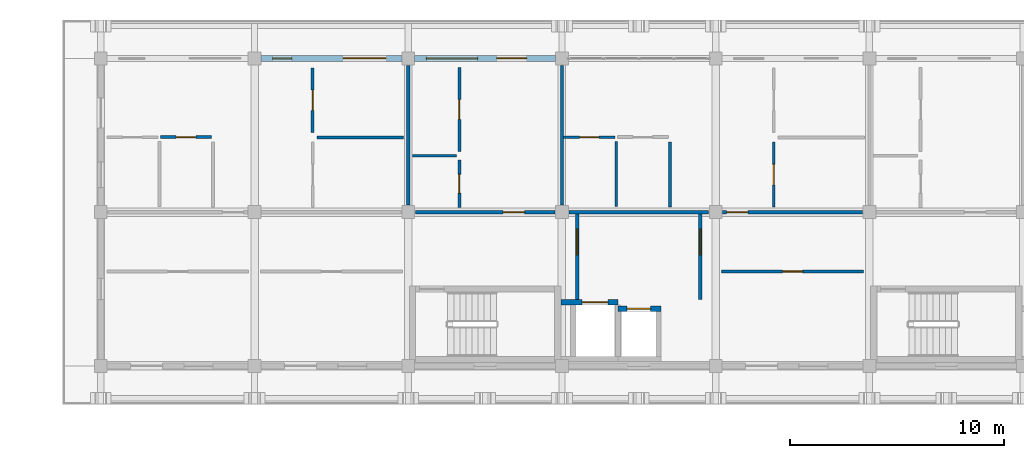
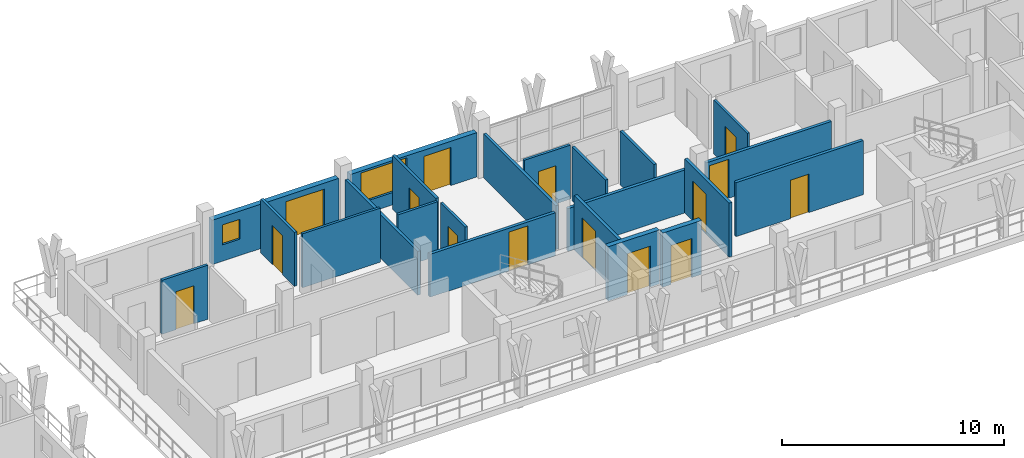
# One storey, part 57 of 76: 22 walls, 15 doors, 2 windows, 17 openings.
"""IFC4 building model written with IfcOpenShell, lengths in metres."""

from ifc_helpers import new_model, si_unit, direction, frame, frame_2d, origin, place, context, subcontext, project, spatial, rectangle, extrude, material, layer, layer_set, type_object, element, fill, save


model = new_model("IFC4")

# Units and contexts
model_context = context("Model", 3, precision=1e-05, world=origin(), true_north=direction((0.0, 1.0)))
body_context = subcontext(model_context, "Body", "Model", "MODEL_VIEW")
ifc_project = project(units=[si_unit("LENGTHUNIT", "METRE"), si_unit("AREAUNIT", "SQUARE_METRE"), si_unit("VOLUMEUNIT", "CUBIC_METRE"), si_unit("PLANEANGLEUNIT", "RADIAN"), si_unit("MASSUNIT", "GRAM", prefix="KILO")], contexts=[model_context])

# Site, building, storey
site_placement = place(None, origin())
site = spatial("IfcSite", under=ifc_project, at=site_placement, CompositionType="ELEMENT")
building_placement = place(site_placement, origin())
building = spatial("IfcBuilding", under=site, at=building_placement, Name="Suanplinth Sawtooth Commons", CompositionType="ELEMENT")
storey_placement = place(building_placement, frame((0.0, 0.0, 12.199951171875)))
storey = spatial("IfcBuildingStorey", under=building, at=storey_placement, Name="L03", CompositionType="ELEMENT", Elevation=12.199951171875)

# Wall, openings, door, window
ifc_material_1 = material(Name="Precast concrete C40/50", Category="concrete")
ifc_layer_1 = layer(ifc_material_1, 0.280029296875, Name="Insulated precast architectural facade wall 280mm")
ifc_layer_set_1 = layer_set([ifc_layer_1], Name="Precast concrete C40/50")
wall_type_1 = type_object("IfcWallType", Name="W-EX01", PredefinedType="ELEMENTEDWALL", material=ifc_layer_set_1)
wall_1_placement = place(storey_placement, frame((129.89990234375, 122.39990234375, 0.0), z_axis=(0.0, 0.0, 1.0), x_axis=(1.0, 0.0, 0.0)))
wall_1 = element("IfcWall", 1, at=wall_1_placement, inside=storey, type_object=wall_type_1, Name="Facade Wall W-L03-B-N-18-16", PredefinedType="ELEMENTEDWALL", context=body_context, shape_type="SweptSolid", body=[
    extrude(rectangle(XDim=6.60009765625, YDim=0.280029296875, at=frame_2d((3.300048828125, 0.0))), origin(), (0.0, 0.0, 1.0), 2.445068359375),
])
opening_1_placement = place(wall_1_placement, frame((3.85009765625, 0.0, 0.0)))
opening_1 = element("IfcOpeningElement", 2, at=opening_1_placement, cuts=wall_1, Name="Opening ED0249", PredefinedType="OPENING", context=body_context, shape_type="SweptSolid", body=[
    extrude(rectangle(XDim=2.0, YDim=2.1201171875, at=frame_2d((1.0, 1.06005859375))), frame((0.0, 0.15478515625, 0.0), z_axis=(0.0, -1.0, 0.0), x_axis=(1.0, 0.0, 0.0)), (0.0, 0.0, 1.0), 0.309814453125),
])
opening_2_placement = place(wall_1_placement, frame((0.550048828125, 0.0, 0.89990234375)))
opening_2 = element("IfcOpeningElement", 3, at=opening_2_placement, cuts=wall_1, Name="Opening W0355", PredefinedType="OPENING", context=body_context, shape_type="SweptSolid", body=[
    extrude(rectangle(XDim=0.89990234375, YDim=1.10009765625, at=frame_2d((0.449951171875, 0.550048828125))), frame((0.0, 0.15478515625, 0.0), z_axis=(0.0, -1.0, 0.0), x_axis=(1.0, 0.0, 0.0)), (0.0, 0.0, 1.0), 0.309814453125),
])
ifc_material_2 = material(Name="Anodized aluminium and low-E glass", Category="aluminium")
door_type_1 = type_object("IfcDoorType", Name="SD-06", OperationType="DOUBLE_DOOR_SLIDING", PredefinedType="DOOR", material=ifc_material_2)
door_1_placement = place(opening_1_placement, frame((2.0, 0.0, 0.0), z_axis=(0.0, 0.0, 1.0), x_axis=(-1.0, 0.0, 0.0)))
door_1 = element("IfcDoor", 4, at=door_1_placement, inside=storey, type_object=door_type_1, Name="Balcony Sliding Door L03-B-18", OperationType="DOUBLE_DOOR_SLIDING", OverallHeight=2.1201171875, OverallWidth=2.0, PredefinedType="DOOR", context=body_context, shape_type="SweptSolid", body=[
    extrude(rectangle(XDim=2.0, YDim=2.1201171875, at=frame_2d((1.0, 1.06005859375))), frame((0.0, 0.02490234375, 0.0), z_axis=(0.0, -1.0, 0.0), x_axis=(1.0, 0.0, 0.0)), (0.0, 0.0, 1.0), 0.050048828125),
])
fill(opening_1, door_1)
ifc_material_3 = material(Name="Thermally broken aluminium and low-E double glazing", Category="aluminium")
window_type_1 = type_object("IfcWindowType", Name="WN-04", PartitioningType="SINGLE_PANEL", PredefinedType="WINDOW", material=ifc_material_3)
window_1_placement = place(opening_2_placement, origin())
window_1 = element("IfcWindow", 5, at=window_1_placement, inside=storey, type_object=window_type_1, Name="Apartment Window L03-B-18", OverallHeight=1.10009765625, OverallWidth=0.89990234375, PartitioningType="SINGLE_PANEL", PredefinedType="WINDOW", context=body_context, shape_type="SweptSolid", body=[
    extrude(rectangle(XDim=0.89990234375, YDim=1.10009765625, at=frame_2d((0.449951171875, 0.550048828125))), frame((0.0, 0.030029296875, 0.0), z_axis=(0.0, -1.0, 0.0), x_axis=(1.0, 0.0, 0.0)), (0.0, 0.0, 1.0), 0.06005859375),
])
fill(opening_2, window_1)

wall_2_placement = place(storey_placement, frame((137.10009765625, 122.39990234375, 0.0), z_axis=(0.0, 0.0, 1.0), x_axis=(1.0, 0.0, 0.0)))
wall_2 = element("IfcWall", 6, at=wall_2_placement, inside=storey, type_object=wall_type_1, Name="Facade Wall W-L03-B-N-19-16", PredefinedType="ELEMENTEDWALL", context=body_context, shape_type="SweptSolid", body=[
    extrude(rectangle(XDim=6.599853515625, YDim=0.280029296875, at=frame_2d((3.2998046875, 0.0))), origin(), (0.0, 0.0, 1.0), 2.445068359375),
])
opening_3_placement = place(wall_2_placement, frame((3.85009765625, 0.0, 0.0)))
opening_3 = element("IfcOpeningElement", 7, at=opening_3_placement, cuts=wall_2, Name="Opening ED0250", PredefinedType="OPENING", context=body_context, shape_type="SweptSolid", body=[
    extrude(rectangle(XDim=1.39990234375, YDim=2.10009765625, at=frame_2d((0.699951171875, 1.050048828125))), frame((0.0, 0.15478515625, 0.0), z_axis=(0.0, -1.0, 0.0), x_axis=(1.0, 0.0, 0.0)), (0.0, 0.0, 1.0), 0.309814453125),
])
opening_4_placement = place(wall_2_placement, frame((0.550048828125, 0.0, 0.68505859375)))
opening_4 = element("IfcOpeningElement", 8, at=opening_4_placement, cuts=wall_2, Name="Opening W0357", PredefinedType="OPENING", context=body_context, shape_type="SweptSolid", body=[
    extrude(rectangle(XDim=2.39990234375, YDim=1.64990234375, at=frame_2d((1.199951171875, 0.824951171875))), frame((0.0, 0.15478515625, 0.0), z_axis=(0.0, -1.0, 0.0), x_axis=(1.0, 0.0, 0.0)), (0.0, 0.0, 1.0), 0.309814453125),
])
door_type_2 = type_object("IfcDoorType", Name="SD-07", OperationType="SLIDING_TO_RIGHT", PredefinedType="DOOR", material=ifc_material_2)
door_2_placement = place(opening_3_placement, frame((1.39990234375, 0.0, 0.0), z_axis=(0.0, 0.0, 1.0), x_axis=(-1.0, 0.0, 0.0)))
door_2 = element("IfcDoor", 9, at=door_2_placement, inside=storey, type_object=door_type_2, Name="Balcony Sliding Door L03-B-19", OperationType="SLIDING_TO_RIGHT", OverallHeight=2.10009765625, OverallWidth=1.39990234375, PredefinedType="DOOR", context=body_context, shape_type="SweptSolid", body=[
    extrude(rectangle(XDim=1.39990234375, YDim=2.10009765625, at=frame_2d((0.699951171875, 1.050048828125))), frame((0.0, 0.02490234375, 0.0), z_axis=(0.0, -1.0, 0.0), x_axis=(1.0, 0.0, 0.0)), (0.0, 0.0, 1.0), 0.050048828125),
])
fill(opening_3, door_2)
window_type_2 = type_object("IfcWindowType", Name="WN-05", PartitioningType="TRIPLE_PANEL_VERTICAL", PredefinedType="WINDOW", material=ifc_material_3)
window_2_placement = place(opening_4_placement, origin())
window_2 = element("IfcWindow", 10, at=window_2_placement, inside=storey, type_object=window_type_2, Name="Apartment Window L03-B-19", OverallHeight=1.64990234375, OverallWidth=2.39990234375, PartitioningType="TRIPLE_PANEL_VERTICAL", PredefinedType="WINDOW", context=body_context, shape_type="SweptSolid", body=[
    extrude(rectangle(XDim=2.39990234375, YDim=1.64990234375, at=frame_2d((1.199951171875, 0.824951171875))), frame((0.0, 0.030029296875, 0.0), z_axis=(0.0, -1.0, 0.0), x_axis=(1.0, 0.0, 0.0)), (0.0, 0.0, 1.0), 0.06005859375),
])
fill(opening_4, window_2)

# Wall, opening, door
ifc_layer_2 = layer(ifc_material_1, 0.159912109375, Name="Fire-rated corridor and lobby wall 160mm")
ifc_layer_set_2 = layer_set([ifc_layer_2], Name="Precast concrete C40/50")
wall_type_2 = type_object("IfcWallType", Name="W-FW01", PredefinedType="PARTITIONING", material=ifc_layer_set_2)
wall_3_placement = place(storey_placement, frame((144.719970703125, 111.10009765625, 0.0), z_axis=(0.0, 0.0, 1.0), x_axis=(0.0, 1.0, 0.0)))
wall_3 = element("IfcWall", 11, at=wall_3_placement, inside=storey, type_object=wall_type_2, Name="W-L03-C-B1-LOB-W", PredefinedType="PARTITIONING", context=body_context, shape_type="SweptSolid", body=[
    extrude(rectangle(XDim=4.02001953125, YDim=0.159912109375, at=frame_2d((2.010009765625, 0.0))), origin(), (0.0, 0.0, 1.0), 2.97998046875),
])
opening_5_placement = place(wall_3_placement, frame((2.10009765625, 0.0, 0.0)))
opening_5 = element("IfcOpeningElement", 12, at=opening_5_placement, cuts=wall_3, Name="Opening FD0175", PredefinedType="OPENING", context=body_context, shape_type="SweptSolid", body=[
    extrude(rectangle(XDim=1.199951171875, YDim=2.199951171875, at=frame_2d((0.60009765625, 1.10009765625))), frame((0.0, 0.0947265625, 0.0), z_axis=(0.0, -1.0, 0.0), x_axis=(1.0, 0.0, 0.0)), (0.0, 0.0, 1.0), 0.189697265625),
])
ifc_material_4 = material(Name="Teak hardwood fire-rated door assembly", Category="wood")
door_type_3 = type_object("IfcDoorType", Name="FD-02", OperationType="NOTDEFINED", PredefinedType="DOOR", material=ifc_material_4)
door_3_placement = place(opening_5_placement, origin())
door_3 = element("IfcDoor", 13, at=door_3_placement, inside=storey, type_object=door_type_3, Name="Lobby Fire Door FD0175", OperationType="SINGLE_SWING_LEFT", OverallHeight=2.199951171875, OverallWidth=1.199951171875, PredefinedType="DOOR", context=body_context, shape_type="SweptSolid", body=[
    extrude(rectangle(XDim=1.199951171875, YDim=2.199951171875, at=frame_2d((0.60009765625, 1.10009765625))), frame((0.0, 0.02490234375, 0.0), z_axis=(0.0, -1.0, 0.0), x_axis=(1.0, 0.0, 0.0)), (0.0, 0.0, 1.0), 0.050048828125),
])
fill(opening_5, door_3)

wall_4_placement = place(storey_placement, frame((150.47998046875, 111.10009765625, 0.0), z_axis=(0.0, 0.0, 1.0), x_axis=(0.0, 1.0, 0.0)))
wall_4 = element("IfcWall", 14, at=wall_4_placement, inside=storey, type_object=wall_type_2, Name="W-L03-C-B1-LOB-E", PredefinedType="PARTITIONING", context=body_context, shape_type="SweptSolid", body=[
    extrude(rectangle(XDim=4.02001953125, YDim=0.159912109375, at=frame_2d((2.010009765625, 0.0))), origin(), (0.0, 0.0, 1.0), 2.97998046875),
])
opening_6_placement = place(wall_4_placement, frame((2.10009765625, 0.0, 0.0)))
opening_6 = element("IfcOpeningElement", 15, at=opening_6_placement, cuts=wall_4, Name="Opening FD0176", PredefinedType="OPENING", context=body_context, shape_type="SweptSolid", body=[
    extrude(rectangle(XDim=1.199951171875, YDim=2.199951171875, at=frame_2d((0.60009765625, 1.10009765625))), frame((0.0, 0.0947265625, 0.0), z_axis=(0.0, -1.0, 0.0), x_axis=(1.0, 0.0, 0.0)), (0.0, 0.0, 1.0), 0.189697265625),
])
door_4_placement = place(opening_6_placement, frame((1.199951171875, 0.0, 0.0), z_axis=(0.0, 0.0, 1.0), x_axis=(-1.0, 0.0, 0.0)))
door_4 = element("IfcDoor", 16, at=door_4_placement, inside=storey, type_object=door_type_3, Name="Lobby Fire Door FD0176", OperationType="SINGLE_SWING_RIGHT", OverallHeight=2.199951171875, OverallWidth=1.199951171875, PredefinedType="DOOR", context=body_context, shape_type="SweptSolid", body=[
    extrude(rectangle(XDim=1.199951171875, YDim=2.199951171875, at=frame_2d((0.60009765625, 1.10009765625))), frame((0.0, 0.02490234375, 0.0), z_axis=(0.0, -1.0, 0.0), x_axis=(1.0, 0.0, 0.0)), (0.0, 0.0, 1.0), 0.050048828125),
])
fill(opening_6, door_4)

wall_5_placement = place(storey_placement, frame((137.1298828125, 115.199951171875, 0.0), z_axis=(0.0, 0.0, 1.0), x_axis=(1.0, 0.0, 0.0)))
wall_5 = element("IfcWall", 17, at=wall_5_placement, inside=storey, type_object=wall_type_2, Name="W-B-L03-U02-COR", PredefinedType="PARTITIONING", context=body_context, shape_type="SweptSolid", body=[
    extrude(rectangle(XDim=6.5400390625, YDim=0.159912109375, at=frame_2d((3.27001953125, 0.0))), origin(), (0.0, 0.0, 1.0), 2.364990234375),
])
opening_7_placement = place(wall_5_placement, frame((4.1201171875, 0.0, 0.0)))
opening_7 = element("IfcOpeningElement", 18, at=opening_7_placement, cuts=wall_5, Name="Opening FD0927", PredefinedType="OPENING", context=body_context, shape_type="SweptSolid", body=[
    extrude(rectangle(XDim=1.0, YDim=2.14990234375, at=frame_2d((0.5, 1.074951171875))), frame((0.0, 0.0947265625, 0.0), z_axis=(0.0, -1.0, 0.0), x_axis=(1.0, 0.0, 0.0)), (0.0, 0.0, 1.0), 0.189697265625),
])
door_type_4 = type_object("IfcDoorType", Name="FD-03", OperationType="NOTDEFINED", PredefinedType="DOOR", material=ifc_material_4)
door_5_placement = place(opening_7_placement, origin())
door_5 = element("IfcDoor", 19, at=door_5_placement, inside=storey, type_object=door_type_4, Name="Unit Entrance Door FD0927", OperationType="SINGLE_SWING_LEFT", OverallHeight=2.14990234375, OverallWidth=1.0, PredefinedType="DOOR", context=body_context, shape_type="SweptSolid", body=[
    extrude(rectangle(XDim=1.0, YDim=2.14990234375, at=frame_2d((0.5, 1.074951171875))), frame((0.0, 0.02490234375, 0.0), z_axis=(0.0, -1.0, 0.0), x_axis=(1.0, 0.0, 0.0)), (0.0, 0.0, 1.0), 0.050048828125),
])
fill(opening_7, door_5)

# Wall
wall_6_placement = place(storey_placement, frame((144.330078125, 115.199951171875, 0.0), z_axis=(0.0, 0.0, 1.0), x_axis=(1.0, 0.0, 0.0)))
element("IfcWall", 20, at=wall_6_placement, inside=storey, type_object=wall_type_2, Name="W-B-L03-U03-COR-S1", PredefinedType="PARTITIONING", context=body_context, shape_type="SweptSolid", body=[
    extrude(rectangle(XDim=6.5400390625, YDim=0.159912109375, at=frame_2d((3.27001953125, 0.0))), origin(), (0.0, 0.0, 1.0), 2.364990234375),
])

# Wall, opening, door
wall_7_placement = place(storey_placement, frame((151.530029296875, 115.199951171875, 0.0), z_axis=(0.0, 0.0, 1.0), x_axis=(1.0, 0.0, 0.0)))
wall_7 = element("IfcWall", 21, at=wall_7_placement, inside=storey, type_object=wall_type_2, Name="W-B-L03-U03-COR-S2", PredefinedType="PARTITIONING", context=body_context, shape_type="SweptSolid", body=[
    extrude(rectangle(XDim=6.5400390625, YDim=0.159912109375, at=frame_2d((3.27001953125, 0.0))), origin(), (0.0, 0.0, 1.0), 2.364990234375),
])
opening_8_placement = place(wall_7_placement, frame((0.179931640625, 0.0, 0.0)))
opening_8 = element("IfcOpeningElement", 22, at=opening_8_placement, cuts=wall_7, Name="Opening FD0930", PredefinedType="OPENING", context=body_context, shape_type="SweptSolid", body=[
    extrude(rectangle(XDim=1.0, YDim=2.14990234375, at=frame_2d((0.5, 1.074951171875))), frame((0.0, 0.0947265625, 0.0), z_axis=(0.0, -1.0, 0.0), x_axis=(1.0, 0.0, 0.0)), (0.0, 0.0, 1.0), 0.189697265625),
])
door_6_placement = place(opening_8_placement, origin())
door_6 = element("IfcDoor", 23, at=door_6_placement, inside=storey, type_object=door_type_4, Name="Unit Entrance Door FD0930", OperationType="SINGLE_SWING_RIGHT", OverallHeight=2.14990234375, OverallWidth=1.0, PredefinedType="DOOR", context=body_context, shape_type="SweptSolid", body=[
    extrude(rectangle(XDim=1.0, YDim=2.14990234375, at=frame_2d((0.5, 1.074951171875))), frame((0.0, 0.02490234375, 0.0), z_axis=(0.0, -1.0, 0.0), x_axis=(1.0, 0.0, 0.0)), (0.0, 0.0, 1.0), 0.050048828125),
])
fill(opening_8, door_6)

wall_8_placement = place(storey_placement, frame((151.47998046875, 112.419921875, 0.0), z_axis=(0.0, 0.0, 1.0), x_axis=(1.0, 0.0, 0.0)))
wall_8 = element("IfcWall", 24, at=wall_8_placement, inside=storey, type_object=wall_type_2, Name="W-B-L03-COURTROOM-32-COR", PredefinedType="PARTITIONING", context=body_context, shape_type="SweptSolid", body=[
    extrude(rectangle(XDim=6.64013671875, YDim=0.159912109375, at=frame_2d((3.320068359375, 0.0))), origin(), (0.0, 0.0, 1.0), 2.97998046875),
])
opening_9_placement = place(wall_8_placement, frame((2.85009765625, 0.0, 0.0)))
opening_9 = element("IfcOpeningElement", 25, at=opening_9_placement, cuts=wall_8, Name="Opening D0948", PredefinedType="OPENING", context=body_context, shape_type="SweptSolid", body=[
    extrude(rectangle(XDim=0.93994140625, YDim=2.1201171875, at=frame_2d((0.469970703125, 1.06005859375))), frame((0.0, 0.0947265625, 0.0), z_axis=(0.0, -1.0, 0.0), x_axis=(1.0, 0.0, 0.0)), (0.0, 0.0, 1.0), 0.189697265625),
])
ifc_material_5 = material(Name="Teak hardwood", Category="wood")
door_type_5 = type_object("IfcDoorType", Name="D-15", OperationType="NOTDEFINED", PredefinedType="DOOR", material=ifc_material_5)
door_7_placement = place(opening_9_placement, frame((0.93994140625, 0.0, 0.0), z_axis=(0.0, 0.0, 1.0), x_axis=(-1.0, 0.0, 0.0)))
door_7 = element("IfcDoor", 26, at=door_7_placement, inside=storey, type_object=door_type_5, Name="Study Studio Door D0948", OperationType="SINGLE_SWING_RIGHT", OverallHeight=2.1201171875, OverallWidth=0.93994140625, PredefinedType="DOOR", context=body_context, shape_type="SweptSolid", body=[
    extrude(rectangle(XDim=0.93994140625, YDim=2.1201171875, at=frame_2d((0.469970703125, 1.06005859375))), frame((0.0, 0.02490234375, 0.0), z_axis=(0.0, -1.0, 0.0), x_axis=(1.0, 0.0, 0.0)), (0.0, 0.0, 1.0), 0.050048828125),
])
fill(opening_9, door_7)

# Walls
ifc_layer_3 = layer(ifc_material_1, 0.14990234375, Name="Acoustic precast party demising wall 150mm")
ifc_layer_set_3 = layer_set([ifc_layer_3], Name="Precast concrete C40/50")
wall_type_3 = type_object("IfcWallType", Name="W-FW02", PredefinedType="PARTITIONING", material=ifc_layer_set_3)
for number, where, z_axis, x_axis, name in (
    (27, (136.800048828125, 115.530029296875, 0.0), (0.0, 0.0, 1.0), (0.0, 1.0, 0.0), "W-B-L03-U01-PTY"),
    (28, (144.0, 115.530029296875, 0.0), (0.0, 0.0, 1.0), (0.0, 1.0, 0.0), "W-B-L03-U02-PTY"),
):
    element("IfcWall", number, at=place(storey_placement, frame(where, z_axis=z_axis, x_axis=x_axis)), inside=storey, type_object=wall_type_3, Name=name, PredefinedType="PARTITIONING", context=body_context, shape_type="SweptSolid", body=[
        extrude(rectangle(XDim=6.5400390625, YDim=0.14990234375, at=frame_2d((3.27001953125, 0.0))), origin(), (0.0, 0.0, 1.0), 2.4150390625),
    ])

# Wall, opening, door
ifc_material_6 = material(Name="Gypsum plasterboard on steel stud", Category="steel")
ifc_layer_4 = layer(ifc_material_6, 0.139892578125, Name="Fire-rated kitchen partition 140mm")
ifc_layer_set_4 = layer_set([ifc_layer_4], Name="Gypsum plasterboard on steel stud")
wall_type_4 = type_object("IfcWallType", Name="W-PT01", PredefinedType="PARTITIONING", material=ifc_layer_set_4)
wall_9_placement = place(storey_placement, frame((125.199951171875, 118.7099609375, 0.0), z_axis=(0.0, 0.0, 1.0), x_axis=(1.0, 0.0, 0.0)))
wall_9 = element("IfcWall", 29, at=wall_9_placement, inside=storey, type_object=wall_type_4, Name="W-B-L03-U01-KIT1", PredefinedType="PARTITIONING", context=body_context, shape_type="SweptSolid", body=[
    extrude(rectangle(XDim=2.380126953125, YDim=0.139892578125, at=frame_2d((1.18994140625, 0.0))), origin(), (0.0, 0.0, 1.0), 2.97998046875),
])
opening_10_placement = place(wall_9_placement, frame((0.72998046875, 0.0, 0.0)))
opening_10 = element("IfcOpeningElement", 30, at=opening_10_placement, cuts=wall_9, Name="Opening D0924", PredefinedType="OPENING", context=body_context, shape_type="SweptSolid", body=[
    extrude(rectangle(XDim=0.919921875, YDim=2.10009765625, at=frame_2d((0.4599609375, 1.050048828125))), frame((0.0, 0.0849609375, 0.0), z_axis=(0.0, -1.0, 0.0), x_axis=(1.0, 0.0, 0.0)), (0.0, 0.0, 1.0), 0.169677734375),
])
door_type_6 = type_object("IfcDoorType", Name="D-02", OperationType="NOTDEFINED", PredefinedType="DOOR", material=ifc_material_5)
door_8_placement = place(opening_10_placement, frame((0.919921875, 0.0, 0.0), z_axis=(0.0, 0.0, 1.0), x_axis=(-1.0, 0.0, 0.0)))
door_8 = element("IfcDoor", 31, at=door_8_placement, inside=storey, type_object=door_type_6, Name="Kitchen Door D0924", OperationType="SINGLE_SWING_RIGHT", OverallHeight=2.10009765625, OverallWidth=0.919921875, PredefinedType="DOOR", context=body_context, shape_type="SweptSolid", body=[
    extrude(rectangle(XDim=0.919921875, YDim=2.10009765625, at=frame_2d((0.4599609375, 1.050048828125))), frame((0.0, 0.02490234375, 0.0), z_axis=(0.0, -1.0, 0.0), x_axis=(1.0, 0.0, 0.0)), (0.0, 0.0, 1.0), 0.050048828125),
])
fill(opening_10, door_8)

wall_10_placement = place(storey_placement, frame((139.195068359375, 118.0400390625, 0.0), z_axis=(0.0, 0.0, 1.0), x_axis=(0.0, 1.0, 0.0)))
wall_10 = element("IfcWall", 32, at=wall_10_placement, inside=storey, type_object=wall_type_4, Name="W-B-L03-U02-KITE", PredefinedType="PARTITIONING", context=body_context, shape_type="SweptSolid", body=[
    extrude(rectangle(XDim=3.93994140625, YDim=0.139892578125, at=frame_2d((1.969970703125, 0.0))), origin(), (0.0, 0.0, 1.0), 2.97998046875),
])
opening_11_placement = place(wall_10_placement, frame((1.510009765625, 0.0, 0.0)))
opening_11 = element("IfcOpeningElement", 33, at=opening_11_placement, cuts=wall_10, Name="Opening D0929", PredefinedType="OPENING", context=body_context, shape_type="SweptSolid", body=[
    extrude(rectangle(XDim=0.919921875, YDim=2.10009765625, at=frame_2d((0.4599609375, 1.050048828125))), frame((0.0, 0.0849609375, 0.0), z_axis=(0.0, -1.0, 0.0), x_axis=(1.0, 0.0, 0.0)), (0.0, 0.0, 1.0), 0.169677734375),
])
door_9_placement = place(opening_11_placement, origin())
door_9 = element("IfcDoor", 34, at=door_9_placement, inside=storey, type_object=door_type_6, Name="Kitchen Door D0929", OperationType="SINGLE_SWING_LEFT", OverallHeight=2.10009765625, OverallWidth=0.919921875, PredefinedType="DOOR", context=body_context, shape_type="SweptSolid", body=[
    extrude(rectangle(XDim=0.919921875, YDim=2.10009765625, at=frame_2d((0.4599609375, 1.050048828125))), frame((0.0, 0.02490234375, 0.0), z_axis=(0.0, -1.0, 0.0), x_axis=(1.0, 0.0, 0.0)), (0.0, 0.0, 1.0), 0.050048828125),
])
fill(opening_11, door_9)

# Walls
wall_11_placement = place(storey_placement, frame((149.050048828125, 115.429931640625, 0.0), z_axis=(0.0, 0.0, 1.0), x_axis=(0.0, 1.0, 0.0)))
element("IfcWall", 35, at=wall_11_placement, inside=storey, type_object=wall_type_4, Name="W-B-L03-U03-KIT2", PredefinedType="PARTITIONING", context=body_context, shape_type="SweptSolid", body=[
    extrude(rectangle(XDim=3.06005859375, YDim=0.139892578125, at=frame_2d((1.530029296875, 0.0))), origin(), (0.0, 0.0, 1.0), 2.97998046875),
])
ifc_layer_5 = layer(ifc_material_6, 0.1298828125, Name="Moisture-resistant bathroom partition 130mm")
ifc_layer_set_5 = layer_set([ifc_layer_5], Name="Gypsum plasterboard on steel stud")
wall_type_5 = type_object("IfcWallType", Name="W-PT02", PredefinedType="PARTITIONING", material=ifc_layer_set_5)
wall_12_placement = place(storey_placement, frame((137.0, 117.840087890625, 0.0), z_axis=(0.0, 0.0, 1.0), x_axis=(1.0, 0.0, 0.0)))
element("IfcWall", 36, at=wall_12_placement, inside=storey, type_object=wall_type_5, Name="W-B-L03-U02-STDIV", PredefinedType="PARTITIONING", context=body_context, shape_type="SweptSolid", body=[
    extrude(rectangle(XDim=2.050048828125, YDim=0.1298828125, at=frame_2d((1.02490234375, 0.0))), origin(), (0.0, 0.0, 1.0), 2.97998046875),
])

# Wall, opening, door
wall_13_placement = place(storey_placement, frame((139.195068359375, 115.419921875, 0.0), z_axis=(0.0, 0.0, 1.0), x_axis=(0.0, 1.0, 0.0)))
wall_13 = element("IfcWall", 37, at=wall_13_placement, inside=storey, type_object=wall_type_5, Name="W-B-L03-U02-BTHE", PredefinedType="PARTITIONING", context=body_context, shape_type="SweptSolid", body=[
    extrude(rectangle(XDim=2.219970703125, YDim=0.1298828125, at=frame_2d((1.10986328125, 0.0))), origin(), (0.0, 0.0, 1.0), 2.97998046875),
])
opening_12_placement = place(wall_13_placement, frame((0.669921875, 0.0, 0.0)))
opening_12 = element("IfcOpeningElement", 38, at=opening_12_placement, cuts=wall_13, Name="Opening D0928", PredefinedType="OPENING", context=body_context, shape_type="SweptSolid", body=[
    extrude(rectangle(XDim=0.8798828125, YDim=2.10009765625, at=frame_2d((0.43994140625, 1.050048828125))), frame((0.0, 0.079833984375, 0.0), z_axis=(0.0, -1.0, 0.0), x_axis=(1.0, 0.0, 0.0)), (0.0, 0.0, 1.0), 0.15966796875),
])
door_type_7 = type_object("IfcDoorType", Name="D-14", OperationType="NOTDEFINED", PredefinedType="DOOR", material=ifc_material_5)
door_10_placement = place(opening_12_placement, origin())
door_10 = element("IfcDoor", 39, at=door_10_placement, inside=storey, type_object=door_type_7, Name="Bathroom Door D0928", OperationType="SINGLE_SWING_RIGHT", OverallHeight=2.10009765625, OverallWidth=0.8798828125, PredefinedType="DOOR", context=body_context, shape_type="SweptSolid", body=[
    extrude(rectangle(XDim=0.8798828125, YDim=2.10009765625, at=frame_2d((0.43994140625, 1.050048828125))), frame((0.0, 0.02490234375, 0.0), z_axis=(0.0, -1.0, 0.0), x_axis=(1.0, 0.0, 0.0)), (0.0, 0.0, 1.0), 0.050048828125),
])
fill(opening_12, door_10)

wall_14_placement = place(storey_placement, frame((144.080078125, 118.705078125, 0.0), z_axis=(0.0, 0.0, 1.0), x_axis=(1.0, 0.0, 0.0)))
wall_14 = element("IfcWall", 40, at=wall_14_placement, inside=storey, type_object=wall_type_5, Name="W-B-L03-U03-BTH1", PredefinedType="PARTITIONING", context=body_context, shape_type="SweptSolid", body=[
    extrude(rectangle(XDim=2.39990234375, YDim=0.1298828125, at=frame_2d((1.199951171875, 0.0))), origin(), (0.0, 0.0, 1.0), 2.97998046875),
])
opening_13_placement = place(wall_14_placement, frame((0.75, 0.0, 0.0)))
opening_13 = element("IfcOpeningElement", 41, at=opening_13_placement, cuts=wall_14, Name="Opening D0931", PredefinedType="OPENING", context=body_context, shape_type="SweptSolid", body=[
    extrude(rectangle(XDim=0.89990234375, YDim=2.10009765625, at=frame_2d((0.449951171875, 1.050048828125))), frame((0.0, 0.079833984375, 0.0), z_axis=(0.0, -1.0, 0.0), x_axis=(1.0, 0.0, 0.0)), (0.0, 0.0, 1.0), 0.15966796875),
])
door_type_8 = type_object("IfcDoorType", Name="D-01", OperationType="NOTDEFINED", PredefinedType="DOOR", material=ifc_material_5)
door_11_placement = place(opening_13_placement, frame((0.89990234375, 0.0, 0.0), z_axis=(0.0, 0.0, 1.0), x_axis=(-1.0, 0.0, 0.0)))
door_11 = element("IfcDoor", 42, at=door_11_placement, inside=storey, type_object=door_type_8, Name="Bathroom Door D0931", OperationType="SINGLE_SWING_LEFT", OverallHeight=2.10009765625, OverallWidth=0.89990234375, PredefinedType="DOOR", context=body_context, shape_type="SweptSolid", body=[
    extrude(rectangle(XDim=0.89990234375, YDim=2.10009765625, at=frame_2d((0.449951171875, 1.050048828125))), frame((0.0, 0.02490234375, 0.0), z_axis=(0.0, -1.0, 0.0), x_axis=(1.0, 0.0, 0.0)), (0.0, 0.0, 1.0), 0.050048828125),
])
fill(opening_13, door_11)

# Wall
wall_15_placement = place(storey_placement, frame((146.544921875, 115.4599609375, 0.0), z_axis=(0.0, 0.0, 1.0), x_axis=(0.0, 1.0, 0.0)))
element("IfcWall", 43, at=wall_15_placement, inside=storey, type_object=wall_type_5, Name="W-B-L03-U03-BTH2", PredefinedType="PARTITIONING", context=body_context, shape_type="SweptSolid", body=[
    extrude(rectangle(XDim=3.0400390625, YDim=0.1298828125, at=frame_2d((1.52001953125, 0.0))), origin(), (0.0, 0.0, 1.0), 2.97998046875),
])

# Wall, opening, door
ifc_layer_6 = layer(ifc_material_6, 0.1201171875, Name="Acoustic bedroom partition 120mm")
ifc_layer_set_6 = layer_set([ifc_layer_6], Name="Gypsum plasterboard on steel stud")
wall_type_6 = type_object("IfcWallType", Name="W-PT03", PredefinedType="PARTITIONING", material=ifc_layer_set_6)
wall_16_placement = place(storey_placement, frame((153.919921875, 115.43994140625, 0.0), z_axis=(0.0, 0.0, 1.0), x_axis=(0.0, 1.0, 0.0)))
wall_16 = element("IfcWall", 44, at=wall_16_placement, inside=storey, type_object=wall_type_6, Name="W-B-L03-U03-BED2", PredefinedType="PARTITIONING", context=body_context, shape_type="SweptSolid", body=[
    extrude(rectangle(XDim=3.0400390625, YDim=0.1201171875, at=frame_2d((1.52001953125, 0.0))), origin(), (0.0, 0.0, 1.0), 2.97998046875),
])
opening_14_placement = place(wall_16_placement, frame((1.0400390625, 0.0, 0.0)))
opening_14 = element("IfcOpeningElement", 45, at=opening_14_placement, cuts=wall_16, Name="Opening D0934", PredefinedType="OPENING", context=body_context, shape_type="SweptSolid", body=[
    extrude(rectangle(XDim=0.9599609375, YDim=2.14990234375, at=frame_2d((0.47998046875, 1.074951171875))), frame((0.0, 0.074951171875, 0.0), z_axis=(0.0, -1.0, 0.0), x_axis=(1.0, 0.0, 0.0)), (0.0, 0.0, 1.0), 0.14990234375),
])
door_type_9 = type_object("IfcDoorType", Name="D-13", OperationType="NOTDEFINED", PredefinedType="DOOR", material=ifc_material_5)
door_12_placement = place(opening_14_placement, frame((0.9599609375, 0.0, 0.0), z_axis=(0.0, 0.0, 1.0), x_axis=(-1.0, 0.0, 0.0)))
door_12 = element("IfcDoor", 46, at=door_12_placement, inside=storey, type_object=door_type_9, Name="Second Bedroom Door D0934", OperationType="SINGLE_SWING_RIGHT", OverallHeight=2.14990234375, OverallWidth=0.9599609375, PredefinedType="DOOR", context=body_context, shape_type="SweptSolid", body=[
    extrude(rectangle(XDim=0.9599609375, YDim=2.14990234375, at=frame_2d((0.47998046875, 1.074951171875))), frame((0.0, 0.02490234375, 0.0), z_axis=(0.0, -1.0, 0.0), x_axis=(1.0, 0.0, 0.0)), (0.0, 0.0, 1.0), 0.050048828125),
])
fill(opening_14, door_12)

# Wall
ifc_layer_7 = layer(ifc_material_6, 0.125, Name="Acoustic study partition 125mm")
ifc_layer_set_7 = layer_set([ifc_layer_7], Name="Gypsum plasterboard on steel stud")
wall_type_7 = type_object("IfcWallType", Name="W-PT06", PredefinedType="PARTITIONING", material=ifc_layer_set_7)
wall_17_placement = place(storey_placement, frame((132.52001953125, 118.699951171875, 0.0), z_axis=(0.0, 0.0, 1.0), x_axis=(1.0, 0.0, 0.0)))
element("IfcWall", 47, at=wall_17_placement, inside=storey, type_object=wall_type_7, Name="W-B-L03-U01-BEDDIV", PredefinedType="PARTITIONING", context=body_context, shape_type="SweptSolid", body=[
    extrude(rectangle(XDim=4.06005859375, YDim=0.125, at=frame_2d((2.030029296875, 0.0))), origin(), (0.0, 0.0, 1.0), 2.97998046875),
])

# Wall, opening, door
ifc_layer_8 = layer(ifc_material_6, 0.135009765625, Name="Insulated bedroom demising partition 135mm")
ifc_layer_set_8 = layer_set([ifc_layer_8], Name="Gypsum plasterboard on steel stud")
wall_type_8 = type_object("IfcWallType", Name="W-PT07", PredefinedType="PARTITIONING", material=ifc_layer_set_8)
wall_18_placement = place(storey_placement, frame((132.320068359375, 118.919921875, 0.0), z_axis=(0.0, 0.0, 1.0), x_axis=(0.0, 1.0, 0.0)))
wall_18 = element("IfcWall", 48, at=wall_18_placement, inside=storey, type_object=wall_type_8, Name="W-B-L03-U01-BED1", PredefinedType="PARTITIONING", context=body_context, shape_type="SweptSolid", body=[
    extrude(rectangle(XDim=3.0400390625, YDim=0.135009765625, at=frame_2d((1.52001953125, 0.0))), origin(), (0.0, 0.0, 1.0), 2.97998046875),
])
opening_15_placement = place(wall_18_placement, frame((1.044921875, 0.0, 0.0)))
opening_15 = element("IfcOpeningElement", 49, at=opening_15_placement, cuts=wall_18, Name="Opening D0925", PredefinedType="OPENING", context=body_context, shape_type="SweptSolid", body=[
    extrude(rectangle(XDim=0.949951171875, YDim=2.14990234375, at=frame_2d((0.47509765625, 1.074951171875))), frame((0.0, 0.08251953125, 0.0), z_axis=(0.0, -1.0, 0.0), x_axis=(1.0, 0.0, 0.0)), (0.0, 0.0, 1.0), 0.164794921875),
])
door_type_10 = type_object("IfcDoorType", Name="D-03", OperationType="NOTDEFINED", PredefinedType="DOOR", material=ifc_material_5)
door_13_placement = place(opening_15_placement, frame((0.949951171875, 0.0, 0.0), z_axis=(0.0, 0.0, 1.0), x_axis=(-1.0, 0.0, 0.0)))
door_13 = element("IfcDoor", 50, at=door_13_placement, inside=storey, type_object=door_type_10, Name="Bedroom Door D0925", OperationType="SINGLE_SWING_LEFT", OverallHeight=2.14990234375, OverallWidth=0.949951171875, PredefinedType="DOOR", context=body_context, shape_type="SweptSolid", body=[
    extrude(rectangle(XDim=0.949951171875, YDim=2.14990234375, at=frame_2d((0.47509765625, 1.074951171875))), frame((0.0, 0.02490234375, 0.0), z_axis=(0.0, -1.0, 0.0), x_axis=(1.0, 0.0, 0.0)), (0.0, 0.0, 1.0), 0.050048828125),
])
fill(opening_15, door_13)

ifc_layer_9 = layer(ifc_material_1, 0.25, Name="Precast structural shear wall 250mm")
ifc_layer_set_9 = layer_set([ifc_layer_9], Name="Precast concrete C40/50")
wall_type_9 = type_object("IfcWallType", Name="W-SH01", PredefinedType="SHEAR", material=ifc_layer_set_9)
wall_19_placement = place(storey_placement, frame((143.949951171875, 110.97509765625, 0.0), z_axis=(0.0, 0.0, 1.0), x_axis=(1.0, 0.0, 0.0)))
wall_19 = element("IfcWall", 51, at=wall_19_placement, inside=storey, type_object=wall_type_9, Name="W-L03-FL2-N", PredefinedType="SHEAR", context=body_context, shape_type="SweptSolid", body=[
    extrude(rectangle(XDim=2.675048828125, YDim=0.25, at=frame_2d((1.33740234375, 0.0))), origin(), (0.0, 0.0, 1.0), 2.97998046875),
])
opening_16_placement = place(wall_19_placement, frame((1.0, 0.0, 0.0)))
opening_16 = element("IfcOpeningElement", 52, at=opening_16_placement, cuts=wall_19, Name="Opening LD0177", PredefinedType="OPENING", context=body_context, shape_type="SweptSolid", body=[
    extrude(rectangle(XDim=1.199951171875, YDim=2.25, at=frame_2d((0.60009765625, 1.125))), frame((0.0, 0.139892578125, 0.0), z_axis=(0.0, -1.0, 0.0), x_axis=(1.0, 0.0, 0.0)), (0.0, 0.0, 1.0), 0.27978515625),
])
ifc_material_7 = material(Name="Stainless steel Grade 304", Category="steel")
door_type_11 = type_object("IfcDoorType", Name="LD-02", OperationType="SLIDING_TO_LEFT", PredefinedType="DOOR", material=ifc_material_7)
door_14_placement = place(opening_16_placement, origin())
door_14 = element("IfcDoor", 53, at=door_14_placement, inside=storey, type_object=door_type_11, Name="Lift Landing Sliding Door FL2 L03", OperationType="SLIDING_TO_LEFT", OverallHeight=2.25, OverallWidth=1.199951171875, PredefinedType="DOOR", context=body_context, shape_type="SweptSolid", body=[
    extrude(rectangle(XDim=1.199951171875, YDim=2.25, at=frame_2d((0.60009765625, 1.125))), frame((0.0, 0.02490234375, 0.0), z_axis=(0.0, -1.0, 0.0), x_axis=(1.0, 0.0, 0.0)), (0.0, 0.0, 1.0), 0.050048828125),
])
fill(opening_16, door_14)

wall_20_placement = place(storey_placement, frame((146.625, 110.675048828125, 0.0), z_axis=(0.0, 0.0, 1.0), x_axis=(1.0, 0.0, 0.0)))
wall_20 = element("IfcWall", 54, at=wall_20_placement, inside=storey, type_object=wall_type_9, Name="W-L03-LF3-N", PredefinedType="SHEAR", context=body_context, shape_type="SweptSolid", body=[
    extrude(rectangle(XDim=2.02490234375, YDim=0.25, at=frame_2d((1.012451171875, 0.0))), origin(), (0.0, 0.0, 1.0), 2.97998046875),
])
opening_17_placement = place(wall_20_placement, frame((0.425048828125, 0.0, 0.0)))
opening_17 = element("IfcOpeningElement", 55, at=opening_17_placement, cuts=wall_20, Name="Opening LD0178", PredefinedType="OPENING", context=body_context, shape_type="SweptSolid", body=[
    extrude(rectangle(XDim=1.10009765625, YDim=2.14990234375, at=frame_2d((0.550048828125, 1.074951171875))), frame((0.0, 0.139892578125, 0.0), z_axis=(0.0, -1.0, 0.0), x_axis=(1.0, 0.0, 0.0)), (0.0, 0.0, 1.0), 0.27978515625),
])
door_type_12 = type_object("IfcDoorType", Name="LD-01", OperationType="SLIDING_TO_LEFT", PredefinedType="DOOR", material=ifc_material_7)
door_15_placement = place(opening_17_placement, origin())
door_15 = element("IfcDoor", 56, at=door_15_placement, inside=storey, type_object=door_type_12, Name="Lift Landing Sliding Door LF3 L03", OperationType="SLIDING_TO_LEFT", OverallHeight=2.14990234375, OverallWidth=1.10009765625, PredefinedType="DOOR", context=body_context, shape_type="SweptSolid", body=[
    extrude(rectangle(XDim=1.10009765625, YDim=2.14990234375, at=frame_2d((0.550048828125, 1.074951171875))), frame((0.0, 0.02490234375, 0.0), z_axis=(0.0, -1.0, 0.0), x_axis=(1.0, 0.0, 0.0)), (0.0, 0.0, 1.0), 0.050048828125),
])
fill(opening_17, door_15)

save(model, "model.ifc")
